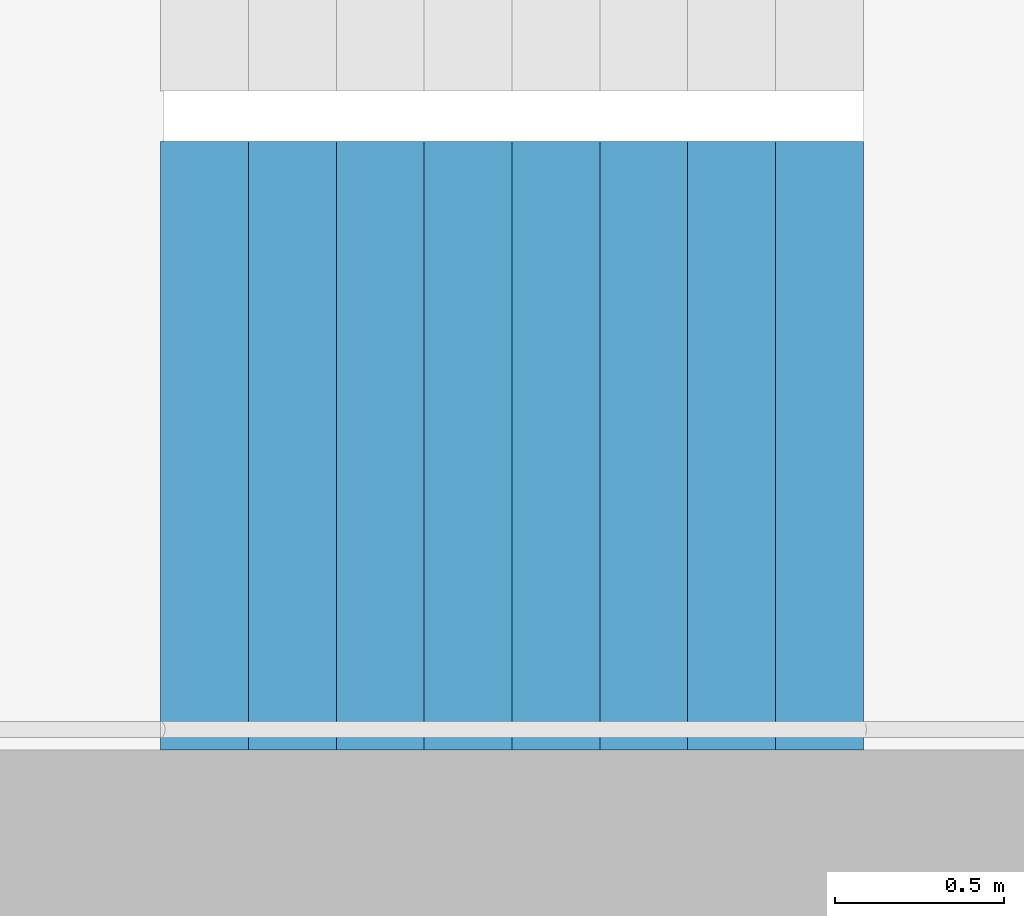
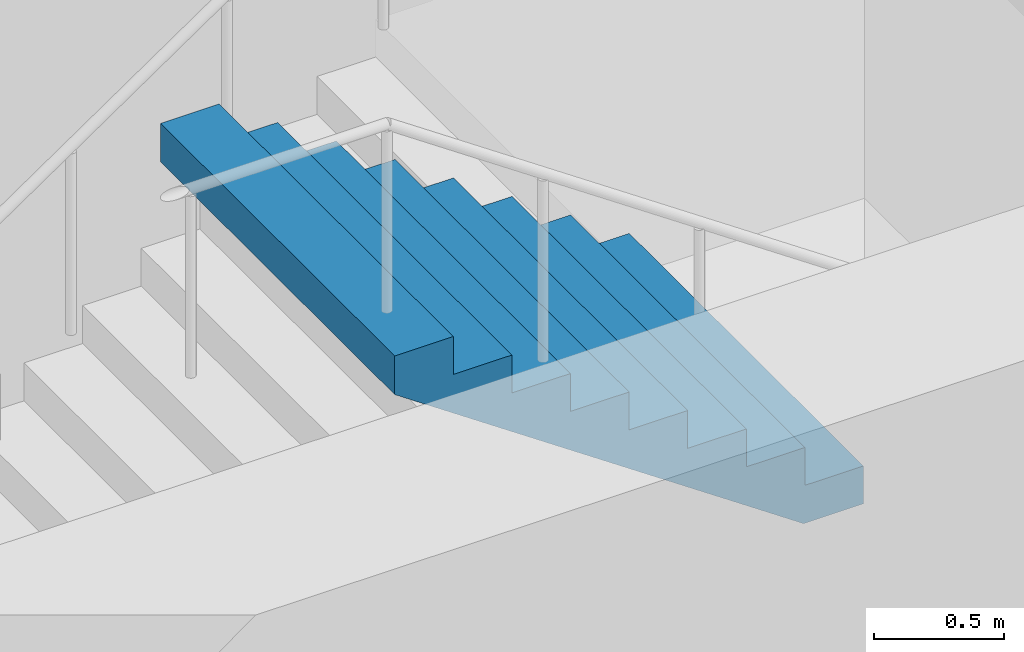
# One storey, part 22 of 26: 1 stair flight, 1 element without a shape of its own.
"""IFC4 building model written with IfcOpenShell, lengths in metres."""

from ifc_helpers import new_model, si_unit, direction, frame, origin, place, context, subcontext, project, spatial, triangles, material, type_object, element, aggregate, save


model = new_model("IFC4")

# Units and contexts
model_context = context("Model", 3, precision=1e-05, world=origin(), true_north=direction((0.0, 1.0)))
body_context = subcontext(model_context, "Body", "Model", "MODEL_VIEW")
ifc_project = project(units=[si_unit("LENGTHUNIT", "METRE"), si_unit("AREAUNIT", "SQUARE_METRE"), si_unit("VOLUMEUNIT", "CUBIC_METRE"), si_unit("PLANEANGLEUNIT", "RADIAN"), si_unit("MASSUNIT", "GRAM", prefix="KILO")], contexts=[model_context])

# Site, building, storey
site_placement = place(None, origin())
site = spatial("IfcSite", under=ifc_project, at=site_placement, CompositionType="ELEMENT")
building_placement = place(site_placement, origin())
building = spatial("IfcBuilding", under=site, at=building_placement, Name="Hakoniwa Tower and Hamabe Station Hall", CompositionType="ELEMENT")
storey_placement = place(building_placement, frame((0.0, 0.0, 251.800048828125)))
storey = spatial("IfcBuildingStorey", under=building, at=storey_placement, Name="L71", CompositionType="ELEMENT", Elevation=251.800048828125)

# Stair, stair flight
ifc_material_1 = material(Name="Concrete C40", Category="concrete")
stair_type = type_object("IfcStairType", Name="ESCAPE STAIR 1800", PredefinedType="HALF_TURN_STAIR", material=ifc_material_1)
stair_placement = place(storey_placement, origin())
stair = element("IfcStair", 1, at=stair_placement, inside=storey, type_object=stair_type, Name="Escape stair ST-4 L71", PredefinedType="HALF_TURN_STAIR")
ifc_material_2 = material(Name="Concrete C40", Category="concrete")
stair_flight_type = type_object("IfcStairFlightType", Name="STAIR FLIGHT 1800", PredefinedType="STRAIGHT", material=ifc_material_2)
stair_flight_placement = place(storey_placement, frame((25.47998046875, -6.60009765625, 1.599853515625), z_axis=(0.0, 0.0, 1.0), x_axis=(-1.0, 0.0, 0.0)))
stair_flight = element("IfcStairFlight", 2, at=stair_flight_placement, type_object=stair_flight_type, Name="ST-4 flight 2", NumberOfRisers=9, NumberOfTreads=8, PredefinedType="STRAIGHT", RiserHeight=0.177777778, TreadLength=0.26, context=body_context, shape_type="Tessellation", body=[
    triangles([(0.0, 0.89990234375, 0.0), (0.260009765625, 0.89990234375, 0.0), (0.265625, 0.89990234375, 0.0), (0.52001953125, 0.89990234375, 0.174072265625), (0.780029296875, 0.89990234375, 0.351806640625), (1.0400390625, 0.89990234375, 0.529541015625), (1.300048828125, 0.89990234375, 0.707275390625), (1.56005859375, 0.89990234375, 0.885009765625), (1.820068359375, 0.89990234375, 1.062744140625), (2.080078125, 0.89990234375, 1.24072265625), (2.080078125, 0.89990234375, 1.422119140625), (1.820068359375, 0.89990234375, 1.422119140625), (1.820068359375, 0.89990234375, 1.244384765625), (1.56005859375, 0.89990234375, 1.244384765625), (1.56005859375, 0.89990234375, 1.066650390625), (1.300048828125, 0.89990234375, 1.066650390625), (1.300048828125, 0.89990234375, 0.888916015625), (1.0400390625, 0.89990234375, 0.888916015625), (1.0400390625, 0.89990234375, 0.711181640625), (0.780029296875, 0.89990234375, 0.711181640625), (0.780029296875, 0.89990234375, 0.533447265625), (0.52001953125, 0.89990234375, 0.533447265625), (0.52001953125, 0.89990234375, 0.35546875), (0.265625, 0.89990234375, 0.35546875), (0.260009765625, 0.89990234375, 0.35546875), (0.260009765625, 0.89990234375, 0.177734375), (0.0, 0.89990234375, 0.177734375), (0.0, 0.06005859375, 0.0), (0.260009765625, 0.06005859375, 0.0), (0.265625, 0.06005859375, 0.0), (0.52001953125, 0.06005859375, 0.174072265625), (0.780029296875, 0.06005859375, 0.351806640625), (1.0400390625, 0.06005859375, 0.529541015625), (1.300048828125, 0.06005859375, 0.707275390625), (1.56005859375, 0.06005859375, 0.885009765625), (1.820068359375, 0.06005859375, 1.062744140625), (2.080078125, 0.06005859375, 1.24072265625), (2.080078125, 0.06005859375, 1.422119140625), (1.820068359375, 0.06005859375, 1.422119140625), (1.820068359375, 0.06005859375, 1.244384765625), (1.56005859375, 0.06005859375, 1.244384765625), (1.56005859375, 0.06005859375, 1.066650390625), (1.300048828125, 0.06005859375, 1.066650390625), (1.300048828125, 0.06005859375, 0.888916015625), (1.0400390625, 0.06005859375, 0.888916015625), (1.0400390625, 0.06005859375, 0.711181640625), (0.780029296875, 0.06005859375, 0.711181640625), (0.780029296875, 0.06005859375, 0.533447265625), (0.52001953125, 0.06005859375, 0.533447265625), (0.52001953125, 0.06005859375, 0.35546875), (0.265625, 0.06005859375, 0.35546875), (0.260009765625, 0.06005859375, 0.35546875), (0.260009765625, 0.06005859375, 0.177734375), (0.0, 0.06005859375, 0.177734375), (0.0, 0.04296875, 0.0), (0.260009765625, 0.04296875, 0.0), (0.265625, 0.04296875, 0.0), (0.52001953125, 0.04296875, 0.174072265625), (0.780029296875, 0.04296875, 0.351806640625), (1.0400390625, 0.04296875, 0.529541015625), (1.300048828125, 0.04296875, 0.707275390625), (1.56005859375, 0.04296875, 0.885009765625), (1.820068359375, 0.04296875, 1.062744140625), (2.080078125, 0.04296875, 1.24072265625), (2.080078125, 0.04296875, 1.422119140625), (1.820068359375, 0.04296875, 1.422119140625), (1.820068359375, 0.04296875, 1.244384765625), (1.56005859375, 0.04296875, 1.244384765625), (1.56005859375, 0.04296875, 1.066650390625), (1.300048828125, 0.04296875, 1.066650390625), (1.300048828125, 0.04296875, 0.888916015625), (1.0400390625, 0.04296875, 0.888916015625), (1.0400390625, 0.04296875, 0.711181640625), (0.780029296875, 0.04296875, 0.711181640625), (0.780029296875, 0.04296875, 0.533447265625), (0.52001953125, 0.04296875, 0.533447265625), (0.52001953125, 0.04296875, 0.35546875), (0.265625, 0.04296875, 0.35546875), (0.260009765625, 0.04296875, 0.35546875), (0.260009765625, 0.04296875, 0.177734375), (0.0, 0.04296875, 0.177734375), (0.0, 0.025634765625, 0.0), (0.260009765625, 0.025634765625, 0.0), (0.265625, 0.025634765625, 0.0), (0.52001953125, 0.025634765625, 0.174072265625), (0.780029296875, 0.025634765625, 0.351806640625), (1.0400390625, 0.025634765625, 0.529541015625), (1.300048828125, 0.025634765625, 0.707275390625), (1.56005859375, 0.025634765625, 0.885009765625), (1.820068359375, 0.025634765625, 1.062744140625), (2.080078125, 0.025634765625, 1.24072265625), (2.080078125, 0.025634765625, 1.422119140625), (1.820068359375, 0.025634765625, 1.422119140625), (1.820068359375, 0.025634765625, 1.244384765625), (1.56005859375, 0.025634765625, 1.244384765625), (1.56005859375, 0.025634765625, 1.066650390625), (1.300048828125, 0.025634765625, 1.066650390625), (1.300048828125, 0.025634765625, 0.888916015625), (1.0400390625, 0.025634765625, 0.888916015625), (1.0400390625, 0.025634765625, 0.711181640625), (0.780029296875, 0.025634765625, 0.711181640625), (0.780029296875, 0.025634765625, 0.533447265625), (0.52001953125, 0.025634765625, 0.533447265625), (0.52001953125, 0.025634765625, 0.35546875), (0.265625, 0.025634765625, 0.35546875), (0.260009765625, 0.025634765625, 0.35546875), (0.260009765625, 0.025634765625, 0.177734375), (0.0, 0.025634765625, 0.177734375), (0.0, 0.008544921875, 0.0), (0.260009765625, 0.008544921875, 0.0), (0.265625, 0.008544921875, 0.0), (0.52001953125, 0.008544921875, 0.174072265625), (0.780029296875, 0.008544921875, 0.351806640625), (1.0400390625, 0.008544921875, 0.529541015625), (1.300048828125, 0.008544921875, 0.707275390625), (1.56005859375, 0.008544921875, 0.885009765625), (1.820068359375, 0.008544921875, 1.062744140625), (2.080078125, 0.008544921875, 1.24072265625), (2.080078125, 0.008544921875, 1.422119140625), (1.820068359375, 0.008544921875, 1.422119140625), (1.820068359375, 0.008544921875, 1.244384765625), (1.56005859375, 0.008544921875, 1.244384765625), (1.56005859375, 0.008544921875, 1.066650390625), (1.300048828125, 0.008544921875, 1.066650390625), (1.300048828125, 0.008544921875, 0.888916015625), (1.0400390625, 0.008544921875, 0.888916015625), (1.0400390625, 0.008544921875, 0.711181640625), (0.780029296875, 0.008544921875, 0.711181640625), (0.780029296875, 0.008544921875, 0.533447265625), (0.52001953125, 0.008544921875, 0.533447265625), (0.52001953125, 0.008544921875, 0.35546875), (0.265625, 0.008544921875, 0.35546875), (0.260009765625, 0.008544921875, 0.35546875), (0.260009765625, 0.008544921875, 0.177734375), (0.0, 0.008544921875, 0.177734375), (0.0, -0.008544921875, 0.0), (0.260009765625, -0.008544921875, 0.0), (0.265625, -0.008544921875, 0.0), (0.52001953125, -0.008544921875, 0.174072265625), (0.780029296875, -0.008544921875, 0.351806640625), (1.0400390625, -0.008544921875, 0.529541015625), (1.300048828125, -0.008544921875, 0.707275390625), (1.56005859375, -0.008544921875, 0.885009765625), (1.820068359375, -0.008544921875, 1.062744140625), (2.080078125, -0.008544921875, 1.24072265625), (2.080078125, -0.008544921875, 1.422119140625), (1.820068359375, -0.008544921875, 1.422119140625), (1.820068359375, -0.008544921875, 1.244384765625), (1.56005859375, -0.008544921875, 1.244384765625), (1.56005859375, -0.008544921875, 1.066650390625), (1.300048828125, -0.008544921875, 1.066650390625), (1.300048828125, -0.008544921875, 0.888916015625), (1.0400390625, -0.008544921875, 0.888916015625), (1.0400390625, -0.008544921875, 0.711181640625), (0.780029296875, -0.008544921875, 0.711181640625), (0.780029296875, -0.008544921875, 0.533447265625), (0.52001953125, -0.008544921875, 0.533447265625), (0.52001953125, -0.008544921875, 0.35546875), (0.265625, -0.008544921875, 0.35546875), (0.260009765625, -0.008544921875, 0.35546875), (0.260009765625, -0.008544921875, 0.177734375), (0.0, -0.008544921875, 0.177734375), (0.0, -0.025634765625, 0.0), (0.260009765625, -0.025634765625, 0.0), (0.265625, -0.025634765625, 0.0), (0.52001953125, -0.025634765625, 0.174072265625), (0.780029296875, -0.025634765625, 0.351806640625), (1.0400390625, -0.025634765625, 0.529541015625), (1.300048828125, -0.025634765625, 0.707275390625), (1.56005859375, -0.025634765625, 0.885009765625), (1.820068359375, -0.025634765625, 1.062744140625), (2.080078125, -0.025634765625, 1.24072265625), (2.080078125, -0.025634765625, 1.422119140625), (1.820068359375, -0.025634765625, 1.422119140625), (1.820068359375, -0.025634765625, 1.244384765625), (1.56005859375, -0.025634765625, 1.244384765625), (1.56005859375, -0.025634765625, 1.066650390625), (1.300048828125, -0.025634765625, 1.066650390625), (1.300048828125, -0.025634765625, 0.888916015625), (1.0400390625, -0.025634765625, 0.888916015625), (1.0400390625, -0.025634765625, 0.711181640625), (0.780029296875, -0.025634765625, 0.711181640625), (0.780029296875, -0.025634765625, 0.533447265625), (0.52001953125, -0.025634765625, 0.533447265625), (0.52001953125, -0.025634765625, 0.35546875), (0.265625, -0.025634765625, 0.35546875), (0.260009765625, -0.025634765625, 0.35546875), (0.260009765625, -0.025634765625, 0.177734375), (0.0, -0.025634765625, 0.177734375), (0.0, -0.04296875, 0.0), (0.260009765625, -0.04296875, 0.0), (0.265625, -0.04296875, 0.0), (0.52001953125, -0.04296875, 0.174072265625), (0.780029296875, -0.04296875, 0.351806640625), (1.0400390625, -0.04296875, 0.529541015625), (1.300048828125, -0.04296875, 0.707275390625), (1.56005859375, -0.04296875, 0.885009765625), (1.820068359375, -0.04296875, 1.062744140625), (2.080078125, -0.04296875, 1.24072265625), (2.080078125, -0.04296875, 1.422119140625), (1.820068359375, -0.04296875, 1.422119140625), (1.820068359375, -0.04296875, 1.244384765625), (1.56005859375, -0.04296875, 1.244384765625), (1.56005859375, -0.04296875, 1.066650390625), (1.300048828125, -0.04296875, 1.066650390625), (1.300048828125, -0.04296875, 0.888916015625), (1.0400390625, -0.04296875, 0.888916015625), (1.0400390625, -0.04296875, 0.711181640625), (0.780029296875, -0.04296875, 0.711181640625), (0.780029296875, -0.04296875, 0.533447265625), (0.52001953125, -0.04296875, 0.533447265625), (0.52001953125, -0.04296875, 0.35546875), (0.265625, -0.04296875, 0.35546875), (0.260009765625, -0.04296875, 0.35546875), (0.260009765625, -0.04296875, 0.177734375), (0.0, -0.04296875, 0.177734375), (0.0, -0.06005859375, 0.0), (0.260009765625, -0.06005859375, 0.0), (0.265625, -0.06005859375, 0.0), (0.52001953125, -0.06005859375, 0.174072265625), (0.780029296875, -0.06005859375, 0.351806640625), (1.0400390625, -0.06005859375, 0.529541015625), (1.300048828125, -0.06005859375, 0.707275390625), (1.56005859375, -0.06005859375, 0.885009765625), (1.820068359375, -0.06005859375, 1.062744140625), (2.080078125, -0.06005859375, 1.24072265625), (2.080078125, -0.06005859375, 1.422119140625), (1.820068359375, -0.06005859375, 1.422119140625), (1.820068359375, -0.06005859375, 1.244384765625), (1.56005859375, -0.06005859375, 1.244384765625), (1.56005859375, -0.06005859375, 1.066650390625), (1.300048828125, -0.06005859375, 1.066650390625), (1.300048828125, -0.06005859375, 0.888916015625), (1.0400390625, -0.06005859375, 0.888916015625), (1.0400390625, -0.06005859375, 0.711181640625), (0.780029296875, -0.06005859375, 0.711181640625), (0.780029296875, -0.06005859375, 0.533447265625), (0.52001953125, -0.06005859375, 0.533447265625), (0.52001953125, -0.06005859375, 0.35546875), (0.265625, -0.06005859375, 0.35546875), (0.260009765625, -0.06005859375, 0.35546875), (0.260009765625, -0.06005859375, 0.177734375), (0.0, -0.06005859375, 0.177734375), (0.0, -0.89990234375, 0.0), (0.260009765625, -0.89990234375, 0.0), (0.265625, -0.89990234375, 0.0), (0.52001953125, -0.89990234375, 0.174072265625), (0.780029296875, -0.89990234375, 0.351806640625), (1.0400390625, -0.89990234375, 0.529541015625), (1.300048828125, -0.89990234375, 0.707275390625), (1.56005859375, -0.89990234375, 0.885009765625), (1.820068359375, -0.89990234375, 1.062744140625), (2.080078125, -0.89990234375, 1.24072265625), (2.080078125, -0.89990234375, 1.422119140625), (1.820068359375, -0.89990234375, 1.422119140625), (1.820068359375, -0.89990234375, 1.244384765625), (1.56005859375, -0.89990234375, 1.244384765625), (1.56005859375, -0.89990234375, 1.066650390625), (1.300048828125, -0.89990234375, 1.066650390625), (1.300048828125, -0.89990234375, 0.888916015625), (1.0400390625, -0.89990234375, 0.888916015625), (1.0400390625, -0.89990234375, 0.711181640625), (0.780029296875, -0.89990234375, 0.711181640625), (0.780029296875, -0.89990234375, 0.533447265625), (0.52001953125, -0.89990234375, 0.533447265625), (0.52001953125, -0.89990234375, 0.35546875), (0.265625, -0.89990234375, 0.35546875), (0.260009765625, -0.89990234375, 0.35546875), (0.260009765625, -0.89990234375, 0.177734375), (0.0, -0.89990234375, 0.177734375)], [[2, 27, 26], [245, 269, 270], [2, 1, 27], [245, 270, 244], [3, 25, 24], [246, 267, 268], [3, 26, 25], [246, 268, 269], [3, 2, 26], [246, 269, 245], [4, 24, 23], [247, 266, 267], [4, 3, 24], [247, 267, 246], [5, 22, 21], [248, 264, 265], [5, 23, 22], [248, 265, 266], [5, 4, 23], [248, 266, 247], [6, 20, 19], [249, 262, 263], [6, 21, 20], [249, 263, 264], [6, 5, 21], [249, 264, 248], [7, 18, 17], [250, 260, 261], [7, 19, 18], [250, 261, 262], [7, 6, 19], [250, 262, 249], [8, 16, 15], [251, 258, 259], [8, 17, 16], [251, 259, 260], [8, 7, 17], [251, 260, 250], [9, 14, 13], [252, 256, 257], [9, 15, 14], [252, 257, 258], [9, 8, 15], [252, 258, 251], [10, 12, 11], [253, 254, 255], [10, 13, 12], [253, 255, 256], [10, 9, 13], [253, 256, 252], [1, 2, 29], [1, 29, 28], [28, 29, 56], [28, 56, 55], [55, 56, 83], [55, 83, 82], [82, 83, 110], [82, 110, 109], [109, 110, 137], [109, 137, 136], [136, 137, 164], [136, 164, 163], [163, 164, 191], [163, 191, 190], [190, 191, 218], [190, 218, 217], [217, 218, 245], [217, 245, 244], [2, 3, 30], [2, 30, 29], [29, 30, 57], [29, 57, 56], [56, 57, 84], [56, 84, 83], [83, 84, 111], [83, 111, 110], [110, 111, 138], [110, 138, 137], [137, 138, 165], [137, 165, 164], [164, 165, 192], [164, 192, 191], [191, 192, 219], [191, 219, 218], [218, 219, 246], [218, 246, 245], [3, 4, 31], [3, 31, 30], [30, 31, 58], [30, 58, 57], [57, 58, 85], [57, 85, 84], [84, 85, 112], [84, 112, 111], [111, 112, 139], [111, 139, 138], [138, 139, 166], [138, 166, 165], [165, 166, 193], [165, 193, 192], [192, 193, 220], [192, 220, 219], [219, 220, 247], [219, 247, 246], [4, 5, 32], [4, 32, 31], [31, 32, 59], [31, 59, 58], [58, 59, 86], [58, 86, 85], [85, 86, 113], [85, 113, 112], [112, 113, 140], [112, 140, 139], [139, 140, 167], [139, 167, 166], [166, 167, 194], [166, 194, 193], [193, 194, 221], [193, 221, 220], [220, 221, 248], [220, 248, 247], [5, 6, 33], [5, 33, 32], [32, 33, 60], [32, 60, 59], [59, 60, 87], [59, 87, 86], [86, 87, 114], [86, 114, 113], [113, 114, 141], [113, 141, 140], [140, 141, 168], [140, 168, 167], [167, 168, 195], [167, 195, 194], [194, 195, 222], [194, 222, 221], [221, 222, 249], [221, 249, 248], [6, 7, 34], [6, 34, 33], [33, 34, 61], [33, 61, 60], [60, 61, 88], [60, 88, 87], [87, 88, 115], [87, 115, 114], [114, 115, 142], [114, 142, 141], [141, 142, 169], [141, 169, 168], [168, 169, 196], [168, 196, 195], [195, 196, 223], [195, 223, 222], [222, 223, 250], [222, 250, 249], [7, 8, 35], [7, 35, 34], [34, 35, 62], [34, 62, 61], [61, 62, 89], [61, 89, 88], [88, 89, 116], [88, 116, 115], [115, 116, 143], [115, 143, 142], [142, 143, 170], [142, 170, 169], [169, 170, 197], [169, 197, 196], [196, 197, 224], [196, 224, 223], [223, 224, 251], [223, 251, 250], [8, 9, 36], [8, 36, 35], [35, 36, 63], [35, 63, 62], [62, 63, 90], [62, 90, 89], [89, 90, 117], [89, 117, 116], [116, 117, 144], [116, 144, 143], [143, 144, 171], [143, 171, 170], [170, 171, 198], [170, 198, 197], [197, 198, 225], [197, 225, 224], [224, 225, 252], [224, 252, 251], [9, 10, 37], [9, 37, 36], [36, 37, 64], [36, 64, 63], [63, 64, 91], [63, 91, 90], [90, 91, 118], [90, 118, 117], [117, 118, 145], [117, 145, 144], [144, 145, 172], [144, 172, 171], [171, 172, 199], [171, 199, 198], [198, 199, 226], [198, 226, 225], [225, 226, 253], [225, 253, 252], [10, 11, 38], [10, 38, 37], [37, 38, 65], [37, 65, 64], [64, 65, 92], [64, 92, 91], [91, 92, 119], [91, 119, 118], [118, 119, 146], [118, 146, 145], [145, 146, 173], [145, 173, 172], [172, 173, 200], [172, 200, 199], [199, 200, 227], [199, 227, 226], [226, 227, 254], [226, 254, 253], [11, 12, 39], [11, 39, 38], [38, 39, 66], [38, 66, 65], [65, 66, 93], [65, 93, 92], [92, 93, 120], [92, 120, 119], [119, 120, 147], [119, 147, 146], [146, 147, 174], [146, 174, 173], [173, 174, 201], [173, 201, 200], [200, 201, 228], [200, 228, 227], [227, 228, 255], [227, 255, 254], [12, 13, 40], [12, 40, 39], [39, 40, 67], [39, 67, 66], [66, 67, 94], [66, 94, 93], [93, 94, 121], [93, 121, 120], [120, 121, 148], [120, 148, 147], [147, 148, 175], [147, 175, 174], [174, 175, 202], [174, 202, 201], [201, 202, 229], [201, 229, 228], [228, 229, 256], [228, 256, 255], [13, 14, 41], [13, 41, 40], [40, 41, 68], [40, 68, 67], [67, 68, 95], [67, 95, 94], [94, 95, 122], [94, 122, 121], [121, 122, 149], [121, 149, 148], [148, 149, 176], [148, 176, 175], [175, 176, 203], [175, 203, 202], [202, 203, 230], [202, 230, 229], [229, 230, 257], [229, 257, 256], [14, 15, 42], [14, 42, 41], [41, 42, 69], [41, 69, 68], [68, 69, 96], [68, 96, 95], [95, 96, 123], [95, 123, 122], [122, 123, 150], [122, 150, 149], [149, 150, 177], [149, 177, 176], [176, 177, 204], [176, 204, 203], [203, 204, 231], [203, 231, 230], [230, 231, 258], [230, 258, 257], [15, 16, 43], [15, 43, 42], [42, 43, 70], [42, 70, 69], [69, 70, 97], [69, 97, 96], [96, 97, 124], [96, 124, 123], [123, 124, 151], [123, 151, 150], [150, 151, 178], [150, 178, 177], [177, 178, 205], [177, 205, 204], [204, 205, 232], [204, 232, 231], [231, 232, 259], [231, 259, 258], [16, 17, 44], [16, 44, 43], [43, 44, 71], [43, 71, 70], [70, 71, 98], [70, 98, 97], [97, 98, 125], [97, 125, 124], [124, 125, 152], [124, 152, 151], [151, 152, 179], [151, 179, 178], [178, 179, 206], [178, 206, 205], [205, 206, 233], [205, 233, 232], [232, 233, 260], [232, 260, 259], [17, 18, 45], [17, 45, 44], [44, 45, 72], [44, 72, 71], [71, 72, 99], [71, 99, 98], [98, 99, 126], [98, 126, 125], [125, 126, 153], [125, 153, 152], [152, 153, 180], [152, 180, 179], [179, 180, 207], [179, 207, 206], [206, 207, 234], [206, 234, 233], [233, 234, 261], [233, 261, 260], [18, 19, 46], [18, 46, 45], [45, 46, 73], [45, 73, 72], [72, 73, 100], [72, 100, 99], [99, 100, 127], [99, 127, 126], [126, 127, 154], [126, 154, 153], [153, 154, 181], [153, 181, 180], [180, 181, 208], [180, 208, 207], [207, 208, 235], [207, 235, 234], [234, 235, 262], [234, 262, 261], [19, 20, 47], [19, 47, 46], [46, 47, 74], [46, 74, 73], [73, 74, 101], [73, 101, 100], [100, 101, 128], [100, 128, 127], [127, 128, 155], [127, 155, 154], [154, 155, 182], [154, 182, 181], [181, 182, 209], [181, 209, 208], [208, 209, 236], [208, 236, 235], [235, 236, 263], [235, 263, 262], [20, 21, 48], [20, 48, 47], [47, 48, 75], [47, 75, 74], [74, 75, 102], [74, 102, 101], [101, 102, 129], [101, 129, 128], [128, 129, 156], [128, 156, 155], [155, 156, 183], [155, 183, 182], [182, 183, 210], [182, 210, 209], [209, 210, 237], [209, 237, 236], [236, 237, 264], [236, 264, 263], [21, 22, 49], [21, 49, 48], [48, 49, 76], [48, 76, 75], [75, 76, 103], [75, 103, 102], [102, 103, 130], [102, 130, 129], [129, 130, 157], [129, 157, 156], [156, 157, 184], [156, 184, 183], [183, 184, 211], [183, 211, 210], [210, 211, 238], [210, 238, 237], [237, 238, 265], [237, 265, 264], [22, 23, 50], [22, 50, 49], [49, 50, 77], [49, 77, 76], [76, 77, 104], [76, 104, 103], [103, 104, 131], [103, 131, 130], [130, 131, 158], [130, 158, 157], [157, 158, 185], [157, 185, 184], [184, 185, 212], [184, 212, 211], [211, 212, 239], [211, 239, 238], [238, 239, 266], [238, 266, 265], [23, 24, 51], [23, 51, 50], [50, 51, 78], [50, 78, 77], [77, 78, 105], [77, 105, 104], [104, 105, 132], [104, 132, 131], [131, 132, 159], [131, 159, 158], [158, 159, 186], [158, 186, 185], [185, 186, 213], [185, 213, 212], [212, 213, 240], [212, 240, 239], [239, 240, 267], [239, 267, 266], [24, 25, 52], [24, 52, 51], [51, 52, 79], [51, 79, 78], [78, 79, 106], [78, 106, 105], [105, 106, 133], [105, 133, 132], [132, 133, 160], [132, 160, 159], [159, 160, 187], [159, 187, 186], [186, 187, 214], [186, 214, 213], [213, 214, 241], [213, 241, 240], [240, 241, 268], [240, 268, 267], [25, 26, 53], [25, 53, 52], [52, 53, 80], [52, 80, 79], [79, 80, 107], [79, 107, 106], [106, 107, 134], [106, 134, 133], [133, 134, 161], [133, 161, 160], [160, 161, 188], [160, 188, 187], [187, 188, 215], [187, 215, 214], [214, 215, 242], [214, 242, 241], [241, 242, 269], [241, 269, 268], [26, 27, 54], [26, 54, 53], [53, 54, 81], [53, 81, 80], [80, 81, 108], [80, 108, 107], [107, 108, 135], [107, 135, 134], [134, 135, 162], [134, 162, 161], [161, 162, 189], [161, 189, 188], [188, 189, 216], [188, 216, 215], [215, 216, 243], [215, 243, 242], [242, 243, 270], [242, 270, 269], [27, 1, 28], [27, 28, 54], [54, 28, 55], [54, 55, 81], [81, 55, 82], [81, 82, 108], [108, 82, 109], [108, 109, 135], [135, 109, 136], [135, 136, 162], [162, 136, 163], [162, 163, 189], [189, 163, 190], [189, 190, 216], [216, 190, 217], [216, 217, 243], [243, 217, 244], [243, 244, 270]], closed=True),
])
aggregate(stair, [stair_flight])

save(model, "model.ifc")
